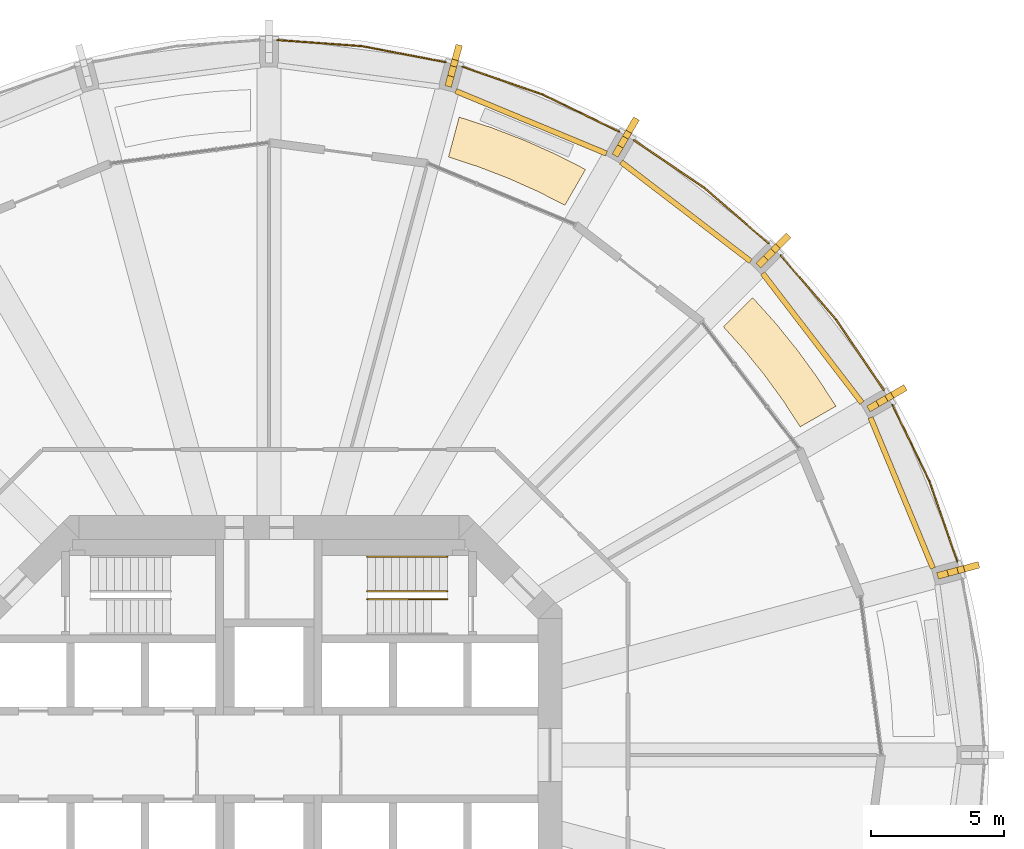
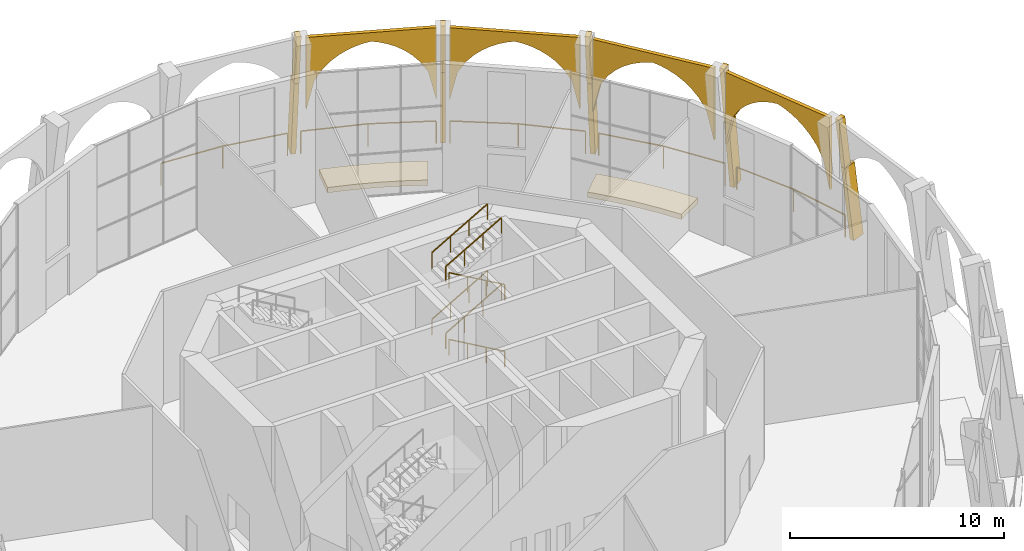
# One storey, part 19 of 19: 16 coverings, 11 railings.
"""IFC4 building model written with IfcOpenShell, lengths in metres."""

from ifc_helpers import new_model, si_unit, direction, frame, origin, origin_2d, place, context, subcontext, project, spatial, polyline, rectangle, outline, extrude, material, layer, layer_set, material_profile, profile_set, type_object, element, save


model = new_model("IFC4")

# Units and contexts
model_context = context("Model", 3, precision=1e-05, world=origin(), true_north=direction((0.0, 1.0)))
body_context = subcontext(model_context, "Body", "Model", "MODEL_VIEW")
ifc_project = project(units=[si_unit("LENGTHUNIT", "METRE"), si_unit("AREAUNIT", "SQUARE_METRE"), si_unit("VOLUMEUNIT", "CUBIC_METRE"), si_unit("PLANEANGLEUNIT", "RADIAN"), si_unit("MASSUNIT", "GRAM", prefix="KILO")], contexts=[model_context])

# Site, building, storey
site_placement = place(None, origin())
site = spatial("IfcSite", under=ifc_project, at=site_placement, CompositionType="ELEMENT")
building_placement = place(site_placement, origin())
building = spatial("IfcBuilding", under=site, at=building_placement, Name="Torre Triforio", CompositionType="ELEMENT")
storey_placement = place(building_placement, frame((0.0, 0.0, 79.0)))
storey = spatial("IfcBuildingStorey", under=building, at=storey_placement, Name="L17", CompositionType="ELEMENT", Elevation=79.0)

# Railings
ifc_material_1 = material(Name="Stainless steel AISI 316", Category="steel")
railing_type_1 = type_object("IfcRailingType", Name="HANDRAIL 920", PredefinedType="HANDRAIL", material=ifc_material_1)
railing_1_placement = place(storey_placement, frame((6.699951171875, 5.85009765625, 0.172607421875)))
element("IfcRailing", 1, at=railing_1_placement, inside=storey, type_object=railing_type_1, Name="Handrail ST2", PredefinedType="HANDRAIL", context=body_context, shape_type="SweptSolid", body=[
    extrude(rectangle(XDim=0.048095703125, YDim=0.048095703125, at=origin_2d()), frame((0.0, 0.0, 0.89599609375), z_axis=(-0.866619684472, 0.0, 0.498969260062), x_axis=(0.0, -1.0, 0.0)), (0.0, 0.0, 1.0), 3.461669921875),
    extrude(rectangle(XDim=0.0419921875, YDim=0.0419921875, at=origin_2d()), origin(), (0.0, 0.0, 1.0), 0.871826171875),
    extrude(rectangle(XDim=0.0419921875, YDim=0.0419921875, at=origin_2d()), frame((-1.0, 0.0, 0.57568359375)), (0.0, 0.0, 1.0), 0.871826171875),
    extrude(rectangle(XDim=0.0419921875, YDim=0.0419921875, at=origin_2d()), frame((-2.0, 0.0, 1.151611328125)), (0.0, 0.0, 1.0), 0.871826171875),
    extrude(rectangle(XDim=0.0419921875, YDim=0.0419921875, at=origin_2d()), frame((-3.0, 0.0, 1.727294921875)), (0.0, 0.0, 1.0), 0.871826171875),
])
for number, where, name in (
    (2, (3.699951171875, 7.449951171875, 2.07275390625), "Handrail ST2"),
    (3, (3.699951171875, 6.14990234375, 2.07275390625), "Handrail ST2"),
):
    element("IfcRailing", number, at=place(storey_placement, frame(where)), inside=storey, type_object=railing_type_1, Name=name, PredefinedType="HANDRAIL", context=body_context, shape_type="SweptSolid", body=[
        extrude(rectangle(XDim=0.048095703125, YDim=0.048095703125, at=origin_2d()), frame((0.0, 0.0, 0.89599609375), z_axis=(0.866619684472, 0.0, 0.498969260062), x_axis=(0.0, 1.0, 0.0)), (0.0, 0.0, 1.0), 3.461669921875),
        extrude(rectangle(XDim=0.0419921875, YDim=0.0419921875, at=origin_2d()), origin(), (0.0, 0.0, 1.0), 0.871826171875),
        extrude(rectangle(XDim=0.0419921875, YDim=0.0419921875, at=origin_2d()), frame((1.0, 0.0, 0.57568359375)), (0.0, 0.0, 1.0), 0.871826171875),
        extrude(rectangle(XDim=0.0419921875, YDim=0.0419921875, at=origin_2d()), frame((2.0, 0.0, 1.151611328125)), (0.0, 0.0, 1.0), 0.871826171875),
        extrude(rectangle(XDim=0.0419921875, YDim=0.0419921875, at=origin_2d()), frame((3.0, 0.0, 1.727294921875)), (0.0, 0.0, 1.0), 0.871826171875),
    ])
railing_2_placement = place(storey_placement, frame((6.699951171875, 5.85009765625, 3.97265625)))
element("IfcRailing", 4, at=railing_2_placement, inside=storey, type_object=railing_type_1, Name="Handrail ST2", PredefinedType="HANDRAIL", context=body_context, shape_type="SweptSolid", body=[
    extrude(rectangle(XDim=0.048095703125, YDim=0.048095703125, at=origin_2d()), frame((0.0, 0.0, 0.89599609375), z_axis=(-0.866619684472, 0.0, 0.498969260062), x_axis=(0.0, -1.0, 0.0)), (0.0, 0.0, 1.0), 3.461669921875),
    extrude(rectangle(XDim=0.0419921875, YDim=0.0419921875, at=origin_2d()), origin(), (0.0, 0.0, 1.0), 0.871826171875),
    extrude(rectangle(XDim=0.0419921875, YDim=0.0419921875, at=origin_2d()), frame((-1.0, 0.0, 0.57568359375)), (0.0, 0.0, 1.0), 0.871826171875),
    extrude(rectangle(XDim=0.0419921875, YDim=0.0419921875, at=origin_2d()), frame((-2.0, 0.0, 1.151611328125)), (0.0, 0.0, 1.0), 0.871826171875),
    extrude(rectangle(XDim=0.0419921875, YDim=0.0419921875, at=origin_2d()), frame((-3.0, 0.0, 1.727294921875)), (0.0, 0.0, 1.0), 0.871826171875),
])
for number, where, name in (
    (5, (3.699951171875, 7.449951171875, 5.872802734375), "Handrail ST2"),
    (6, (3.699951171875, 6.14990234375, 5.872802734375), "Handrail ST2"),
):
    element("IfcRailing", number, at=place(storey_placement, frame(where)), inside=storey, type_object=railing_type_1, Name=name, PredefinedType="HANDRAIL", context=body_context, shape_type="SweptSolid", body=[
        extrude(rectangle(XDim=0.048095703125, YDim=0.048095703125, at=origin_2d()), frame((0.0, 0.0, 0.89599609375), z_axis=(0.866619684472, 0.0, 0.498969260062), x_axis=(0.0, 1.0, 0.0)), (0.0, 0.0, 1.0), 3.461669921875),
        extrude(rectangle(XDim=0.0419921875, YDim=0.0419921875, at=origin_2d()), origin(), (0.0, 0.0, 1.0), 0.871826171875),
        extrude(rectangle(XDim=0.0419921875, YDim=0.0419921875, at=origin_2d()), frame((1.0, 0.0, 0.57568359375)), (0.0, 0.0, 1.0), 0.871826171875),
        extrude(rectangle(XDim=0.0419921875, YDim=0.0419921875, at=origin_2d()), frame((2.0, 0.0, 1.151611328125)), (0.0, 0.0, 1.0), 0.871826171875),
        extrude(rectangle(XDim=0.0419921875, YDim=0.0419921875, at=origin_2d()), frame((3.0, 0.0, 1.727294921875)), (0.0, 0.0, 1.0), 0.871826171875),
    ])

# Coverings
ifc_material_2 = material(Name="Limestone arch panel", Category="masonry")
ifc_layer_1 = layer(ifc_material_2, 0.199951171875)
ifc_layer_set_1 = layer_set([ifc_layer_1], Name="Limestone arch panel")
covering_type_1 = type_object("IfcCoveringType", Name="Lancet arch cladding panel 200", PredefinedType="CLADDING", material=ifc_layer_set_1)
covering_1_placement = place(storey_placement, frame((23.669921875, 9.804443359375, 0.0), z_axis=(0.923689456732, 0.383141993942, 0.0), x_axis=(-0.383141993942, 0.923689456732, 0.0)))
element("IfcCovering", 7, at=covering_1_placement, inside=storey, type_object=covering_type_1, Name="Lancet arch panel L17 bay 02", PredefinedType="CLADDING", context=body_context, shape_type="SweptSolid", body=[
    extrude(outline(polyline([(-3.0634765625, 7.320068359375), (-3.0634765625, 3.205078125), (-2.680419921875, 4.836181640625), (-2.297607421875, 5.447021484375), (-1.91455078125, 5.86962890625), (-1.53173828125, 6.18505859375), (-1.148681640625, 6.4248046875), (-0.765869140625, 6.605224609375), (-0.3828125, 6.735107421875), (0.0, 6.820068359375), (0.3828125, 6.735107421875), (0.765869140625, 6.605224609375), (1.148681640625, 6.4248046875), (1.53173828125, 6.18505859375), (1.91455078125, 5.86962890625), (2.297607421875, 5.447021484375), (2.680419921875, 4.836181640625), (3.0634765625, 3.205078125), (3.0634765625, 7.320068359375), (-3.0634765625, 7.320068359375)])), origin(), (0.0, 0.0, 1.0), 0.2001953125),
])
for number, where, z_axis, x_axis, name in (
    (8, (20.325927734375, 15.5966796875, 0.0), (0.793802879778, 0.60817512943, 0.0), (-0.60817512943, 0.793802879778, 0.0), "Lancet arch panel L17 bay 03"),
    (9, (15.5966796875, 20.325927734375, 0.0), (0.60817512943, 0.793802879778, 0.0), (-0.793802879778, 0.60817512943, 0.0), "Lancet arch panel L17 bay 04"),
):
    element("IfcCovering", number, at=place(storey_placement, frame(where, z_axis=z_axis, x_axis=x_axis)), inside=storey, type_object=covering_type_1, Name=name, PredefinedType="CLADDING", context=body_context, shape_type="SweptSolid", body=[
        extrude(outline(polyline([(-3.0634765625, 7.320068359375), (-3.0634765625, 3.205078125), (-2.680419921875, 4.836181640625), (-2.297607421875, 5.447021484375), (-1.91455078125, 5.86962890625), (-1.53173828125, 6.18505859375), (-1.148681640625, 6.4248046875), (-0.765869140625, 6.605224609375), (-0.3828125, 6.735107421875), (0.0, 6.820068359375), (0.3828125, 6.735107421875), (0.765869140625, 6.605224609375), (1.148681640625, 6.4248046875), (1.53173828125, 6.18505859375), (1.91455078125, 5.86962890625), (2.297607421875, 5.447021484375), (2.680419921875, 4.836181640625), (3.0634765625, 3.205078125), (3.0634765625, 7.320068359375), (-3.0634765625, 7.320068359375)])), origin(), (0.0, 0.0, 1.0), 0.199951171875),
    ])
covering_2_placement = place(storey_placement, frame((9.804443359375, 23.669921875, 0.0), z_axis=(0.383141993942, 0.923689456732, 0.0), x_axis=(-0.923689456732, 0.383141993942, 0.0)))
element("IfcCovering", 10, at=covering_2_placement, inside=storey, type_object=covering_type_1, Name="Lancet arch panel L17 bay 05", PredefinedType="CLADDING", context=body_context, shape_type="SweptSolid", body=[
    extrude(outline(polyline([(-3.0634765625, 7.320068359375), (-3.0634765625, 3.205078125), (-2.680419921875, 4.836181640625), (-2.297607421875, 5.447021484375), (-1.91455078125, 5.86962890625), (-1.53173828125, 6.18505859375), (-1.148681640625, 6.4248046875), (-0.765869140625, 6.605224609375), (-0.3828125, 6.735107421875), (0.0, 6.820068359375), (0.3828125, 6.735107421875), (0.765869140625, 6.605224609375), (1.148681640625, 6.4248046875), (1.53173828125, 6.18505859375), (1.91455078125, 5.86962890625), (2.297607421875, 5.447021484375), (2.680419921875, 4.836181640625), (3.0634765625, 3.205078125), (3.0634765625, 7.320068359375), (-3.0634765625, 7.320068359375)])), origin(), (0.0, 0.0, 1.0), 0.2001953125),
])

# Railings
railing_type_2 = type_object("IfcRailingType", Name="Loggia guard 1300", PredefinedType="GUARDRAIL", material=ifc_material_1)
railing_3_placement = place(storey_placement, frame((25.852294921875, 7.25830078125, 0.0)))
element("IfcRailing", 11, at=railing_3_placement, inside=storey, type_object=railing_type_2, Name="Loggia guard L17 bay 02", PredefinedType="GUARDRAIL", context=body_context, shape_type="SweptSolid", body=[
    extrude(rectangle(XDim=0.050048828125, YDim=0.050048828125, at=origin_2d()), frame((0.0, 0.0, 1.27490234375), z_axis=(-0.327627852034, 0.94480685358, 0.0), x_axis=(-0.94480685358, -0.327627852034, 0.0)), (0.0, 0.0, 1.0), 3.193115234375),
    extrude(rectangle(XDim=0.050048828125, YDim=0.050048828125, at=origin_2d()), frame((-1.046142578125, 3.016845703125, 1.27490234375), z_axis=(-0.436384192305, 0.899760432952, 0.0), x_axis=(-0.899760432952, -0.436384192305, 0.0)), (0.0, 0.0, 1.0), 3.19287109375),
    extrude(rectangle(XDim=0.0400390625, YDim=0.0400390625, at=origin_2d()), origin(), (0.0, 0.0, 1.0), 1.25),
    extrude(rectangle(XDim=0.0400390625, YDim=0.0400390625, at=origin_2d()), frame((-1.046142578125, 3.016845703125, 0.0)), (0.0, 0.0, 1.0), 1.25),
    extrude(rectangle(XDim=0.0400390625, YDim=0.0400390625, at=origin_2d()), frame((-2.439453125, 5.8896484375, 0.0)), (0.0, 0.0, 1.0), 1.25),
])
railing_4_placement = place(storey_placement, frame((23.0927734375, 13.7021484375, 0.0)))
element("IfcRailing", 12, at=railing_4_placement, inside=storey, type_object=railing_type_2, Name="Loggia guard L17 bay 03", PredefinedType="GUARDRAIL", context=body_context, shape_type="SweptSolid", body=[
    extrude(rectangle(XDim=0.050048828125, YDim=0.050048828125, at=origin_2d()), frame((0.0, 0.0, 1.27490234375), z_axis=(-0.561018896338, 0.82780299465, 0.0), x_axis=(-0.82780299465, -0.561018896338, 0.0)), (0.0, 0.0, 1.0), 3.19287109375),
    extrude(rectangle(XDim=0.050048828125, YDim=0.050048828125, at=origin_2d()), frame((-1.791259765625, 2.64306640625, 1.27490234375), z_axis=(-0.654385993255, 0.756160678581, 0.0), x_axis=(-0.756160678581, -0.654385993255, 0.0)), (0.0, 0.0, 1.0), 3.19287109375),
    extrude(rectangle(XDim=0.0400390625, YDim=0.0400390625, at=origin_2d()), origin(), (0.0, 0.0, 1.0), 1.25),
    extrude(rectangle(XDim=0.0400390625, YDim=0.0400390625, at=origin_2d()), frame((-1.791259765625, 2.64306640625, 0.0)), (0.0, 0.0, 1.0), 1.25),
    extrude(rectangle(XDim=0.0400390625, YDim=0.0400390625, at=origin_2d()), frame((-3.880615234375, 5.057373046875, 0.0)), (0.0, 0.0, 1.0), 1.25),
])
railing_5_placement = place(storey_placement, frame((18.759521484375, 19.212158203125, 0.0)))
element("IfcRailing", 13, at=railing_5_placement, inside=storey, type_object=railing_type_2, Name="Loggia guard L17 bay 04", PredefinedType="GUARDRAIL", context=body_context, shape_type="SweptSolid", body=[
    extrude(rectangle(XDim=0.050048828125, YDim=0.050048828125, at=origin_2d()), frame((0.0, 0.0, 1.27490234375), z_axis=(-0.756160678581, 0.654385993255, 0.0), x_axis=(-0.654385993255, -0.756160678581, 0.0)), (0.0, 0.0, 1.0), 3.19287109375),
    extrude(rectangle(XDim=0.050048828125, YDim=0.050048828125, at=origin_2d()), frame((-2.414306640625, 2.08935546875, 1.27490234375), z_axis=(-0.82780299465, 0.561018896338, 0.0), x_axis=(-0.561018896338, -0.82780299465, 0.0)), (0.0, 0.0, 1.0), 3.19287109375),
    extrude(rectangle(XDim=0.0400390625, YDim=0.0400390625, at=origin_2d()), origin(), (0.0, 0.0, 1.0), 1.25),
    extrude(rectangle(XDim=0.0400390625, YDim=0.0400390625, at=origin_2d()), frame((-2.414306640625, 2.08935546875, 0.0)), (0.0, 0.0, 1.0), 1.25),
    extrude(rectangle(XDim=0.0400390625, YDim=0.0400390625, at=origin_2d()), frame((-5.057373046875, 3.880615234375, 0.0)), (0.0, 0.0, 1.0), 1.25),
])
railing_6_placement = place(storey_placement, frame((13.14794921875, 23.412841796875, 0.0)))
element("IfcRailing", 14, at=railing_6_placement, inside=storey, type_object=railing_type_2, Name="Loggia guard L17 bay 05", PredefinedType="GUARDRAIL", context=body_context, shape_type="SweptSolid", body=[
    extrude(rectangle(XDim=0.050048828125, YDim=0.050048828125, at=origin_2d()), frame((0.0, 0.0, 1.27490234375), z_axis=(-0.899760432952, 0.436384192305, 0.0), x_axis=(-0.436384192305, -0.899760432952, 0.0)), (0.0, 0.0, 1.0), 3.19287109375),
    extrude(rectangle(XDim=0.050048828125, YDim=0.050048828125, at=origin_2d()), frame((-2.872802734375, 1.393310546875, 1.27490234375), z_axis=(-0.94480685358, 0.327627852034, 0.0), x_axis=(-0.327627852034, -0.94480685358, 0.0)), (0.0, 0.0, 1.0), 3.193115234375),
    extrude(rectangle(XDim=0.0400390625, YDim=0.0400390625, at=origin_2d()), origin(), (0.0, 0.0, 1.0), 1.25),
    extrude(rectangle(XDim=0.0400390625, YDim=0.0400390625, at=origin_2d()), frame((-2.872802734375, 1.393310546875, 0.0)), (0.0, 0.0, 1.0), 1.25),
    extrude(rectangle(XDim=0.0400390625, YDim=0.0400390625, at=origin_2d()), frame((-5.8896484375, 2.439453125, 0.0)), (0.0, 0.0, 1.0), 1.25),
])
railing_7_placement = place(storey_placement, frame((6.64013671875, 26.017822265625, 0.0)))
element("IfcRailing", 15, at=railing_7_placement, inside=storey, type_object=railing_type_2, Name="Loggia guard L17 bay 06", PredefinedType="GUARDRAIL", context=body_context, shape_type="SweptSolid", body=[
    extrude(rectangle(XDim=0.050048828125, YDim=0.050048828125, at=origin_2d()), frame((0.0, 0.0, 1.27490234375), z_axis=(-0.982032071501, 0.188714097365, 0.0), x_axis=(-0.188714097365, -0.982032071501, 0.0)), (0.0, 0.0, 1.0), 3.19287109375),
    extrude(rectangle(XDim=0.050048828125, YDim=0.050048828125, at=origin_2d()), frame((-3.135498046875, 0.6025390625, 1.27490234375), z_axis=(-0.997407990613, 0.071953458998, 0.0), x_axis=(-0.071953458998, -0.997407990613, 0.0)), (0.0, 0.0, 1.0), 3.19287109375),
    extrude(rectangle(XDim=0.0400390625, YDim=0.0400390625, at=origin_2d()), origin(), (0.0, 0.0, 1.0), 1.25),
    extrude(rectangle(XDim=0.0400390625, YDim=0.0400390625, at=origin_2d()), frame((-3.135498046875, 0.6025390625, 0.0)), (0.0, 0.0, 1.0), 1.25),
    extrude(rectangle(XDim=0.0400390625, YDim=0.0400390625, at=origin_2d()), frame((-6.320068359375, 0.832275390625, 0.0)), (0.0, 0.0, 1.0), 1.25),
])

# Coverings
ifc_material_3 = material(Name="Planted topsoil bed")
ifc_layer_2 = layer(ifc_material_3, 0.300048828125)
ifc_layer_set_2 = layer_set([ifc_layer_2], Name="Planted topsoil bed")
covering_type_2 = type_object("IfcCoveringType", Name="Planted bed 300", PredefinedType="FLOORING", material=ifc_layer_set_2)
covering_3_placement = place(storey_placement, origin())
element("IfcCovering", 16, at=covering_3_placement, inside=storey, type_object=covering_type_2, Name="Sky garden L17 planted bed 03", PredefinedType="FLOORING", context=body_context, shape_type="SweptSolid", body=[
    extrude(outline(polyline([(19.949462890625, 12.32568359375), (19.301513671875, 13.317626953125), (18.60400390625, 14.275390625), (17.859375, 15.197021484375), (17.069091796875, 16.07958984375), (18.16552734375, 17.176025390625), (19.02490234375, 16.218994140625), (19.833740234375, 15.218994140625), (20.59033203125, 14.1787109375), (21.292236328125, 13.10107421875), (19.949462890625, 12.32568359375)])), origin(), (0.0, 0.0, 1.0), 0.300048828125),
])
covering_4_placement = place(storey_placement, origin())
element("IfcCovering", 17, at=covering_4_placement, inside=storey, type_object=covering_type_2, Name="Sky garden L17 planted bed 05", PredefinedType="FLOORING", context=body_context, shape_type="SweptSolid", body=[
    extrude(outline(polyline([(11.11376953125, 20.649169921875), (10.056640625, 21.18408203125), (8.973876953125, 21.6650390625), (7.8681640625, 22.090576171875), (6.742431640625, 22.459716796875), (7.143798828125, 23.95751953125), (8.366455078125, 23.55859375), (9.567138671875, 23.096923828125), (10.7421875, 22.574462890625), (11.88916015625, 21.991943359375), (11.11376953125, 20.649169921875)])), origin(), (0.0, 0.0, 1.0), 0.300048828125),
])
ifc_material_4 = material(Name="Limestone fin", Category="masonry")
ifc_material_profile_1 = material_profile(ifc_material_4, rectangle(XDim=0.39990234375, YDim=0.25, at=origin_2d()), Name="FIN 400x250")
ifc_profile_set_1 = profile_set([ifc_material_profile_1], Name="Limestone fin")
covering_type_3 = type_object("IfcCoveringType", Name="Stone fin 400 x 250", PredefinedType="CLADDING", material=ifc_profile_set_1)
for number, where, z_axis, x_axis, name in (
    (18, (25.672119140625, 6.87890625, 4.39208984375), (-0.125988322127, -0.033811826608, 0.991455345978), (0.957570864101, 0.256985881507, 0.130446529011), "Stone fin C02 L17 upper"),
    (19, (23.01708984375, 13.288818359375, 4.39208984375), (-0.113008687722, -0.065225936074, 0.991450762147), (0.858686225462, 0.495613337154, 0.130481363564), "Stone fin C03 L17 upper"),
    (20, (18.793212890625, 18.793212890625, 4.39208984375), (-0.09217756867, -0.09217756867, 0.991466888841), (0.701072960421, 0.701072960421, 0.13035876776), "Stone fin C04 L17 upper"),
    (21, (13.288818359375, 23.01708984375, 4.39208984375), (-0.065225936074, -0.113008687722, 0.991450762147), (0.495613337154, 0.858686225462, 0.130481363564), "Stone fin C05 L17 upper"),
    (22, (6.87890625, 25.672119140625, 4.39208984375), (-0.033811826608, -0.125988322127, 0.991455345978), (0.256985881507, 0.957570864101, 0.130446529011), "Stone fin C06 L17 upper"),
):
    element("IfcCovering", number, at=place(storey_placement, frame(where, z_axis=z_axis, x_axis=x_axis)), inside=storey, type_object=covering_type_3, Name=name, PredefinedType="CLADDING", context=body_context, shape_type="SweptSolid", body=[
        extrude(rectangle(XDim=0.39990234375, YDim=0.25, at=origin_2d()), origin(), (0.0, 0.0, 1.0), 2.953125),
    ])
ifc_material_profile_2 = material_profile(ifc_material_4, rectangle(XDim=0.64990234375, YDim=0.25, at=origin_2d()), Name="FIN 650x250")
ifc_profile_set_2 = profile_set([ifc_material_profile_2], Name="Limestone fin")
covering_type_4 = type_object("IfcCoveringType", Name="Stone fin 650 x 250", PredefinedType="CLADDING", material=ifc_profile_set_2)
for number, where, z_axis, x_axis, name in (
    (23, (26.35205078125, 7.06103515625, 0.0), (-0.125984997419, -0.033783378573, 0.991456738218), (0.957624624029, 0.256790855, 0.130435946895), "Stone fin C02 L17"),
    (24, (23.626708984375, 13.640869140625, 0.0), (-0.112978193366, -0.065251795583, 0.991452535927), (0.858544739658, 0.495861937441, 0.130467884949), "Stone fin C03 L17"),
    (25, (19.291015625, 19.291015625, 0.0), (-0.092256311903, -0.092256311903, 0.991452240821), (0.701062602707, 0.701062602707, 0.130470127508), "Stone fin C04 L17"),
    (26, (13.640869140625, 23.626708984375, 0.0), (-0.065251795583, -0.112978193366, 0.991452535927), (0.495861937441, 0.858544739658, 0.130467884949), "Stone fin C05 L17"),
    (27, (7.06103515625, 26.35205078125, 0.0), (-0.033783378573, -0.125984997419, 0.991456738218), (0.256790855, 0.957624624029, 0.130435946895), "Stone fin C06 L17"),
):
    element("IfcCovering", number, at=place(storey_placement, frame(where, z_axis=z_axis, x_axis=x_axis)), inside=storey, type_object=covering_type_4, Name=name, PredefinedType="CLADDING", context=body_context, shape_type="SweptSolid", body=[
        extrude(rectangle(XDim=0.64990234375, YDim=0.25, at=origin_2d()), origin(), (0.0, 0.0, 1.0), 4.429931640625),
    ])

save(model, "model.ifc")
